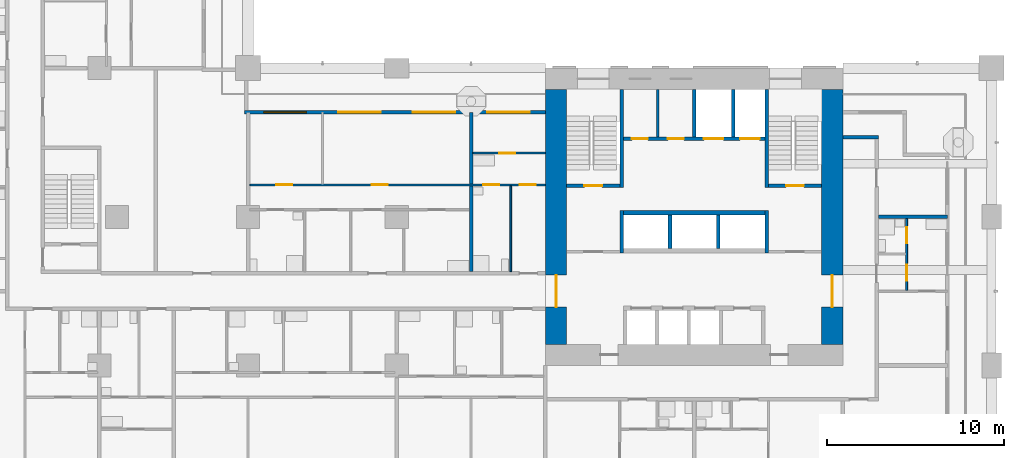
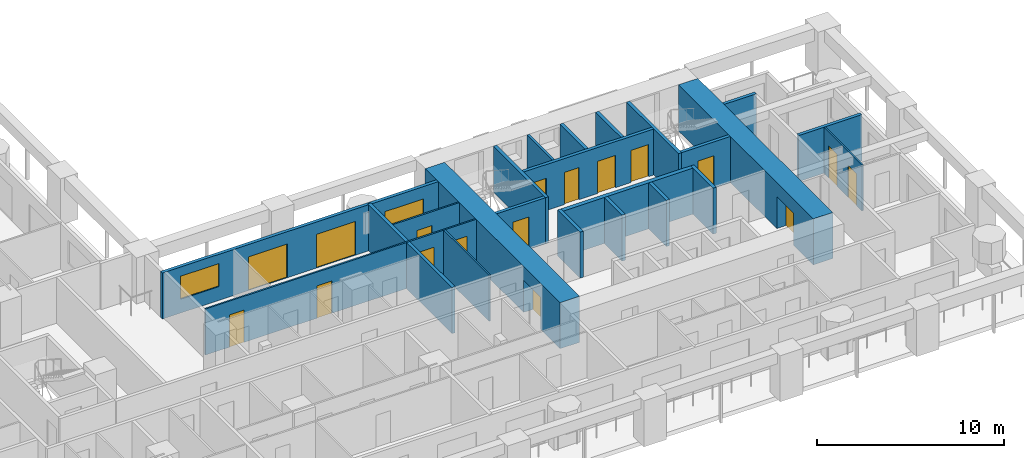
# One storey, part 7 of 21: 23 walls, 18 doors, 1 window, 19 openings.
"""IFC4 building model written with IfcOpenShell, lengths in metres."""

from ifc_helpers import new_model, si_unit, direction, frame, frame_2d, origin, place, context, subcontext, project, spatial, rectangle, extrude, material, layer, layer_set, type_object, element, fill, save


model = new_model("IFC4")

# Units and contexts
model_context = context("Model", 3, precision=1e-05, world=origin(), true_north=direction((0.0, 1.0)))
body_context = subcontext(model_context, "Body", "Model", "MODEL_VIEW")
ifc_project = project(units=[si_unit("LENGTHUNIT", "METRE"), si_unit("AREAUNIT", "SQUARE_METRE"), si_unit("VOLUMEUNIT", "CUBIC_METRE"), si_unit("PLANEANGLEUNIT", "RADIAN"), si_unit("MASSUNIT", "GRAM", prefix="KILO")], contexts=[model_context])

# Site, building, storey
site_placement = place(None, origin())
site = spatial("IfcSite", under=ifc_project, at=site_placement, CompositionType="ELEMENT")
building_placement = place(site_placement, origin())
building = spatial("IfcBuilding", under=site, at=building_placement, Name="Vermilion Gate Residences", CompositionType="ELEMENT")
storey_placement = place(building_placement, frame((0.0, 0.0, 70.699951171875)))
storey = spatial("IfcBuildingStorey", under=building, at=storey_placement, Name="L17", CompositionType="ELEMENT", Elevation=70.699951171875)

# Wall
ifc_material_1 = material(Name="Masonry blockwork", Category="masonry")
ifc_layer_1 = layer(ifc_material_1, 0.14990234375)
ifc_layer_set_1 = layer_set([ifc_layer_1], Name="BLOCKWORK PARTITION 150 EI 120")
wall_type_1 = type_object("IfcWallType", Name="BLOCKWORK PARTITION 150 EI 120", PredefinedType="PARTITIONING", material=ifc_layer_set_1)
wall_1_placement = place(storey_placement, frame((48.35009765625, 21.300048828125, 0.0), z_axis=(0.0, 0.0, 1.0), x_axis=(0.0, 1.0, 0.0)))
element("IfcWall", 1, at=wall_1_placement, inside=storey, type_object=wall_type_1, Name="Core room partition A17-NR-P0", PredefinedType="PARTITIONING", context=body_context, shape_type="SweptSolid", body=[
    extrude(rectangle(XDim=2.699951171875, YDim=0.14990234375, at=frame_2d((1.35009765625, 0.0))), origin(), (0.0, 0.0, 1.0), 3.0),
])

# Wall, openings, doors, window
ifc_material_2 = material(Name="Insulated steel stud wall with terracotta rainscreen", Category="masonry")
ifc_layer_2 = layer(ifc_material_2, 0.199951171875)
ifc_layer_set_2 = layer_set([ifc_layer_2], Name="EXTERNAL WALL 200 TERRACOTTA RAINSCREEN")
wall_type_2 = type_object("IfcWallType", Name="EXTERNAL WALL 200 TERRACOTTA RAINSCREEN", PredefinedType="SOLIDWALL", material=ifc_layer_set_2)
wall_2_placement = place(storey_placement, frame((42.0, 22.699951171875, 0.0), z_axis=(0.0, 0.0, 1.0), x_axis=(-1.0, 0.0, 0.0)))
wall_2 = element("IfcWall", 2, at=wall_2_placement, inside=storey, type_object=wall_type_2, Name="External wall", PredefinedType="SOLIDWALL", context=body_context, shape_type="SweptSolid", body=[
    extrude(rectangle(XDim=17.0, YDim=0.199951171875, at=frame_2d((8.5, 0.0))), origin(), (0.0, 0.0, 1.0), 3.0),
])
opening_1_placement = place(wall_2_placement, frame((13.5, 0.0, 0.89990234375)))
opening_1 = element("IfcOpeningElement", 3, at=opening_1_placement, cuts=wall_2, Name="Opening WE17033", PredefinedType="OPENING", context=body_context, shape_type="SweptSolid", body=[
    extrude(rectangle(XDim=2.39990234375, YDim=1.5, at=frame_2d((1.199951171875, 0.75))), frame((0.0, 0.10986328125, 0.0), z_axis=(0.0, -1.0, 0.0), x_axis=(1.0, 0.0, 0.0)), (0.0, 0.0, 1.0), 0.219970703125),
])
opening_2_placement = place(wall_2_placement, frame((9.300048828125, 0.0, 0.0)))
opening_2 = element("IfcOpeningElement", 4, at=opening_2_placement, cuts=wall_2, Name="Opening DE17034", PredefinedType="OPENING", context=body_context, shape_type="SweptSolid", body=[
    extrude(rectangle(XDim=2.39990234375, YDim=2.199951171875, at=frame_2d((1.199951171875, 1.10009765625))), frame((0.0, 0.10986328125, 0.0), z_axis=(0.0, -1.0, 0.0), x_axis=(1.0, 0.0, 0.0)), (0.0, 0.0, 1.0), 0.219970703125),
])
opening_3_placement = place(wall_2_placement, frame((5.10009765625, 0.0, 0.0)))
opening_3 = element("IfcOpeningElement", 5, at=opening_3_placement, cuts=wall_2, Name="Opening DE17035", PredefinedType="OPENING", context=body_context, shape_type="SweptSolid", body=[
    extrude(rectangle(XDim=2.39990234375, YDim=2.199951171875, at=frame_2d((1.199951171875, 1.10009765625))), frame((0.0, 0.10986328125, 0.0), z_axis=(0.0, -1.0, 0.0), x_axis=(1.0, 0.0, 0.0)), (0.0, 0.0, 1.0), 0.219970703125),
])
opening_4_placement = place(wall_2_placement, frame((0.89990234375, 0.0, 0.0)))
opening_4 = element("IfcOpeningElement", 6, at=opening_4_placement, cuts=wall_2, Name="Opening DE17036", PredefinedType="OPENING", context=body_context, shape_type="SweptSolid", body=[
    extrude(rectangle(XDim=2.39990234375, YDim=2.199951171875, at=frame_2d((1.199951171875, 1.10009765625))), frame((0.0, 0.10986328125, 0.0), z_axis=(0.0, -1.0, 0.0), x_axis=(1.0, 0.0, 0.0)), (0.0, 0.0, 1.0), 0.219970703125),
])
ifc_material_3 = material(Name="Aluminium and clear glass", Category="aluminium")
door_type_1 = type_object("IfcDoorType", Name="SLIDING GLAZED DOOR 2400 X 2200", OperationType="DOUBLE_DOOR_SLIDING", PredefinedType="DOOR", material=ifc_material_3)
door_1_placement = place(opening_2_placement, origin())
door_1 = element("IfcDoor", 7, at=door_1_placement, inside=storey, type_object=door_type_1, Name="Loggia sliding door", OperationType="DOUBLE_DOOR_SLIDING", OverallHeight=2.199951171875, OverallWidth=2.39990234375, PredefinedType="DOOR", context=body_context, shape_type="SweptSolid", body=[
    extrude(rectangle(XDim=2.39990234375, YDim=2.199951171875, at=frame_2d((1.199951171875, 1.10009765625))), frame((0.0, 0.02490234375, 0.0), z_axis=(0.0, -1.0, 0.0), x_axis=(1.0, 0.0, 0.0)), (0.0, 0.0, 1.0), 0.050048828125),
])
fill(opening_2, door_1)
door_2_placement = place(opening_3_placement, origin())
door_2 = element("IfcDoor", 8, at=door_2_placement, inside=storey, type_object=door_type_1, Name="Loggia sliding door", OperationType="DOUBLE_DOOR_SLIDING", OverallHeight=2.199951171875, OverallWidth=2.39990234375, PredefinedType="DOOR", context=body_context, shape_type="SweptSolid", body=[
    extrude(rectangle(XDim=2.39990234375, YDim=2.199951171875, at=frame_2d((1.199951171875, 1.10009765625))), frame((0.0, 0.02490234375, 0.0), z_axis=(0.0, -1.0, 0.0), x_axis=(1.0, 0.0, 0.0)), (0.0, 0.0, 1.0), 0.050048828125),
])
fill(opening_3, door_2)
door_3_placement = place(opening_4_placement, origin())
door_3 = element("IfcDoor", 9, at=door_3_placement, inside=storey, type_object=door_type_1, Name="Loggia sliding door", OperationType="DOUBLE_DOOR_SLIDING", OverallHeight=2.199951171875, OverallWidth=2.39990234375, PredefinedType="DOOR", context=body_context, shape_type="SweptSolid", body=[
    extrude(rectangle(XDim=2.39990234375, YDim=2.199951171875, at=frame_2d((1.199951171875, 1.10009765625))), frame((0.0, 0.02490234375, 0.0), z_axis=(0.0, -1.0, 0.0), x_axis=(1.0, 0.0, 0.0)), (0.0, 0.0, 1.0), 0.050048828125),
])
fill(opening_4, door_3)
ifc_material_4 = material(Name="Aluminium and clear glass", Category="aluminium")
window_type = type_object("IfcWindowType", Name="WINDOW 2400 X 1500", PartitioningType="SINGLE_PANEL", PredefinedType="WINDOW", material=ifc_material_4)
window_placement = place(opening_1_placement, origin())
window = element("IfcWindow", 10, at=window_placement, inside=storey, type_object=window_type, Name="Window", OverallHeight=1.5, OverallWidth=2.39990234375, PartitioningType="SINGLE_PANEL", PredefinedType="WINDOW", context=body_context, shape_type="SweptSolid", body=[
    extrude(rectangle(XDim=2.39990234375, YDim=1.5, at=frame_2d((1.199951171875, 0.75))), frame((0.0, 0.030029296875, 0.0), z_axis=(0.0, -1.0, 0.0), x_axis=(1.0, 0.0, 0.0)), (0.0, 0.0, 1.0), 0.06005859375),
])
fill(opening_1, window)

# Wall, openings, doors
ifc_material_5 = material(Name="Plasterboard on steel studs", Category="steel")
ifc_layer_3 = layer(ifc_material_5, 0.10009765625)
ifc_layer_set_3 = layer_set([ifc_layer_3], Name="PARTITION 100")
wall_type_3 = type_object("IfcWallType", Name="PARTITION 100", PredefinedType="PARTITIONING", material=ifc_layer_set_3)
wall_3_placement = place(storey_placement, frame((25.300048828125, 18.60009765625, 0.0), z_axis=(0.0, 0.0, 1.0), x_axis=(1.0, 0.0, 0.0)))
wall_3 = element("IfcWall", 11, at=wall_3_placement, inside=storey, type_object=wall_type_3, Name="Partition", PredefinedType="PARTITIONING", context=body_context, shape_type="SweptSolid", body=[
    extrude(rectangle(XDim=16.699951171875, YDim=0.10009765625, at=frame_2d((8.35009765625, 0.0))), origin(), (0.0, 0.0, 1.0), 3.0),
])
opening_5_placement = place(wall_3_placement, frame((1.5, 0.0, 0.0)))
opening_5 = element("IfcOpeningElement", 12, at=opening_5_placement, cuts=wall_3, Name="Opening DA16037", PredefinedType="OPENING", context=body_context, shape_type="SweptSolid", body=[
    extrude(rectangle(XDim=0.89990234375, YDim=2.10009765625, at=frame_2d((0.449951171875, 1.050048828125))), frame((0.0, 0.06005859375, 0.0), z_axis=(0.0, -1.0, 0.0), x_axis=(1.0, 0.0, 0.0)), (0.0, 0.0, 1.0), 0.1201171875),
])
opening_6_placement = place(wall_3_placement, frame((6.89990234375, 0.0, 0.0)))
opening_6 = element("IfcOpeningElement", 13, at=opening_6_placement, cuts=wall_3, Name="Opening DA16038", PredefinedType="OPENING", context=body_context, shape_type="SweptSolid", body=[
    extrude(rectangle(XDim=0.89990234375, YDim=2.10009765625, at=frame_2d((0.449951171875, 1.050048828125))), frame((0.0, 0.06005859375, 0.0), z_axis=(0.0, -1.0, 0.0), x_axis=(1.0, 0.0, 0.0)), (0.0, 0.0, 1.0), 0.1201171875),
])
opening_7_placement = place(wall_3_placement, frame((15.239990234375, 0.0, 0.0)))
opening_7 = element("IfcOpeningElement", 14, at=opening_7_placement, cuts=wall_3, Name="Opening DA16039", PredefinedType="OPENING", context=body_context, shape_type="SweptSolid", body=[
    extrude(rectangle(XDim=0.89990234375, YDim=2.10009765625, at=frame_2d((0.449951171875, 1.050048828125))), frame((0.0, 0.06005859375, 0.0), z_axis=(0.0, -1.0, 0.0), x_axis=(1.0, 0.0, 0.0)), (0.0, 0.0, 1.0), 0.1201171875),
])
opening_8_placement = place(wall_3_placement, frame((13.199951171875, 0.0, 0.0)))
opening_8 = element("IfcOpeningElement", 15, at=opening_8_placement, cuts=wall_3, Name="Opening DA16040", PredefinedType="OPENING", context=body_context, shape_type="SweptSolid", body=[
    extrude(rectangle(XDim=0.89990234375, YDim=2.10009765625, at=frame_2d((0.449951171875, 1.050048828125))), frame((0.0, 0.06005859375, 0.0), z_axis=(0.0, -1.0, 0.0), x_axis=(1.0, 0.0, 0.0)), (0.0, 0.0, 1.0), 0.1201171875),
])
ifc_material_6 = material(Name="Timber", Category="wood")
door_type_2 = type_object("IfcDoorType", Name="INTERIOR DOOR 900 X 2100", OperationType="SINGLE_SWING_LEFT", PredefinedType="DOOR", material=ifc_material_6)
door_4_placement = place(opening_5_placement, origin())
door_4 = element("IfcDoor", 16, at=door_4_placement, inside=storey, type_object=door_type_2, Name="Interior door", OperationType="SINGLE_SWING_LEFT", OverallHeight=2.10009765625, OverallWidth=0.89990234375, PredefinedType="DOOR", context=body_context, shape_type="SweptSolid", body=[
    extrude(rectangle(XDim=0.89990234375, YDim=2.10009765625, at=frame_2d((0.449951171875, 1.050048828125))), frame((0.0, 0.02490234375, 0.0), z_axis=(0.0, -1.0, 0.0), x_axis=(1.0, 0.0, 0.0)), (0.0, 0.0, 1.0), 0.050048828125),
])
fill(opening_5, door_4)
door_5_placement = place(opening_6_placement, origin())
door_5 = element("IfcDoor", 17, at=door_5_placement, inside=storey, type_object=door_type_2, Name="Interior door", OperationType="SINGLE_SWING_LEFT", OverallHeight=2.10009765625, OverallWidth=0.89990234375, PredefinedType="DOOR", context=body_context, shape_type="SweptSolid", body=[
    extrude(rectangle(XDim=0.89990234375, YDim=2.10009765625, at=frame_2d((0.449951171875, 1.050048828125))), frame((0.0, 0.02490234375, 0.0), z_axis=(0.0, -1.0, 0.0), x_axis=(1.0, 0.0, 0.0)), (0.0, 0.0, 1.0), 0.050048828125),
])
fill(opening_6, door_5)
door_6_placement = place(opening_7_placement, origin())
door_6 = element("IfcDoor", 18, at=door_6_placement, inside=storey, type_object=door_type_2, Name="Interior door", OperationType="SINGLE_SWING_RIGHT", OverallHeight=2.10009765625, OverallWidth=0.89990234375, PredefinedType="DOOR", context=body_context, shape_type="SweptSolid", body=[
    extrude(rectangle(XDim=0.89990234375, YDim=2.10009765625, at=frame_2d((0.449951171875, 1.050048828125))), frame((0.0, 0.02490234375, 0.0), z_axis=(0.0, -1.0, 0.0), x_axis=(1.0, 0.0, 0.0)), (0.0, 0.0, 1.0), 0.050048828125),
])
fill(opening_7, door_6)
door_7_placement = place(opening_8_placement, origin())
door_7 = element("IfcDoor", 19, at=door_7_placement, inside=storey, type_object=door_type_2, Name="Interior door", OperationType="SINGLE_SWING_LEFT", OverallHeight=2.10009765625, OverallWidth=0.89990234375, PredefinedType="DOOR", context=body_context, shape_type="SweptSolid", body=[
    extrude(rectangle(XDim=0.89990234375, YDim=2.10009765625, at=frame_2d((0.449951171875, 1.050048828125))), frame((0.0, 0.02490234375, 0.0), z_axis=(0.0, -1.0, 0.0), x_axis=(1.0, 0.0, 0.0)), (0.0, 0.0, 1.0), 0.050048828125),
])
fill(opening_8, door_7)

# Wall, opening, door
wall_4_placement = place(storey_placement, frame((37.89990234375, 20.39990234375, 0.0), z_axis=(0.0, 0.0, 1.0), x_axis=(1.0, 0.0, 0.0)))
wall_4 = element("IfcWall", 20, at=wall_4_placement, inside=storey, type_object=wall_type_3, Name="Partition", PredefinedType="PARTITIONING", context=body_context, shape_type="SweptSolid", body=[
    extrude(rectangle(XDim=4.10009765625, YDim=0.10009765625, at=frame_2d((2.050048828125, 0.0))), origin(), (0.0, 0.0, 1.0), 3.0),
])
opening_9_placement = place(wall_4_placement, frame((1.5, 0.0, 0.0)))
opening_9 = element("IfcOpeningElement", 21, at=opening_9_placement, cuts=wall_4, Name="Opening DA16041", PredefinedType="OPENING", context=body_context, shape_type="SweptSolid", body=[
    extrude(rectangle(XDim=0.89990234375, YDim=2.10009765625, at=frame_2d((0.449951171875, 1.050048828125))), frame((0.0, 0.06005859375, 0.0), z_axis=(0.0, -1.0, 0.0), x_axis=(1.0, 0.0, 0.0)), (0.0, 0.0, 1.0), 0.1201171875),
])
door_8_placement = place(opening_9_placement, frame((0.89990234375, 0.0, 0.0), z_axis=(0.0, 0.0, 1.0), x_axis=(-1.0, 0.0, 0.0)))
door_8 = element("IfcDoor", 22, at=door_8_placement, inside=storey, type_object=door_type_2, Name="Interior door", OperationType="SINGLE_SWING_RIGHT", OverallHeight=2.10009765625, OverallWidth=0.89990234375, PredefinedType="DOOR", context=body_context, shape_type="SweptSolid", body=[
    extrude(rectangle(XDim=0.89990234375, YDim=2.10009765625, at=frame_2d((0.449951171875, 1.050048828125))), frame((0.0, 0.02490234375, 0.0), z_axis=(0.0, -1.0, 0.0), x_axis=(1.0, 0.0, 0.0)), (0.0, 0.0, 1.0), 0.050048828125),
])
fill(opening_9, door_8)

# Wall
wall_5_placement = place(storey_placement, frame((40.0400390625, 13.699951171875, 0.0), z_axis=(0.0, 0.0, 1.0), x_axis=(0.0, 1.0, 0.0)))
element("IfcWall", 23, at=wall_5_placement, inside=storey, type_object=wall_type_3, Name="Partition", PredefinedType="PARTITIONING", context=body_context, shape_type="SweptSolid", body=[
    extrude(rectangle(XDim=4.85009765625, YDim=0.10009765625, at=frame_2d((2.425048828125, 0.0))), origin(), (0.0, 0.0, 1.0), 3.0),
])

# Wall, openings, doors
wall_6_placement = place(storey_placement, frame((62.39990234375, 12.64990234375, 0.0), z_axis=(0.0, 0.0, 1.0), x_axis=(0.0, 1.0, 0.0)))
wall_6 = element("IfcWall", 24, at=wall_6_placement, inside=storey, type_object=wall_type_3, Name="Partition", PredefinedType="PARTITIONING", context=body_context, shape_type="SweptSolid", body=[
    extrude(rectangle(XDim=4.050048828125, YDim=0.10009765625, at=frame_2d((2.02490234375, 0.0))), origin(), (0.0, 0.0, 1.0), 3.0),
])
opening_10_placement = place(wall_6_placement, frame((0.550048828125, 0.0, 0.0)))
opening_10 = element("IfcOpeningElement", 25, at=opening_10_placement, cuts=wall_6, Name="Opening DA16085", PredefinedType="OPENING", context=body_context, shape_type="SweptSolid", body=[
    extrude(rectangle(XDim=0.89990234375, YDim=2.10009765625, at=frame_2d((0.449951171875, 1.050048828125))), frame((0.0, 0.06005859375, 0.0), z_axis=(0.0, -1.0, 0.0), x_axis=(1.0, 0.0, 0.0)), (0.0, 0.0, 1.0), 0.1201171875),
])
opening_11_placement = place(wall_6_placement, frame((2.64990234375, 0.0, 0.0)))
opening_11 = element("IfcOpeningElement", 26, at=opening_11_placement, cuts=wall_6, Name="Opening DA16086", PredefinedType="OPENING", context=body_context, shape_type="SweptSolid", body=[
    extrude(rectangle(XDim=0.89990234375, YDim=2.10009765625, at=frame_2d((0.449951171875, 1.050048828125))), frame((0.0, 0.06005859375, 0.0), z_axis=(0.0, -1.0, 0.0), x_axis=(1.0, 0.0, 0.0)), (0.0, 0.0, 1.0), 0.1201171875),
])
door_9_placement = place(opening_10_placement, frame((0.89990234375, 0.0, 0.0), z_axis=(0.0, 0.0, 1.0), x_axis=(-1.0, 0.0, 0.0)))
door_9 = element("IfcDoor", 27, at=door_9_placement, inside=storey, type_object=door_type_2, Name="Interior door", OperationType="SINGLE_SWING_RIGHT", OverallHeight=2.10009765625, OverallWidth=0.89990234375, PredefinedType="DOOR", context=body_context, shape_type="SweptSolid", body=[
    extrude(rectangle(XDim=0.89990234375, YDim=2.10009765625, at=frame_2d((0.449951171875, 1.050048828125))), frame((0.0, 0.02490234375, 0.0), z_axis=(0.0, -1.0, 0.0), x_axis=(1.0, 0.0, 0.0)), (0.0, 0.0, 1.0), 0.050048828125),
])
fill(opening_10, door_9)
door_10_placement = place(opening_11_placement, origin())
door_10 = element("IfcDoor", 28, at=door_10_placement, inside=storey, type_object=door_type_2, Name="Interior door", OperationType="SINGLE_SWING_RIGHT", OverallHeight=2.10009765625, OverallWidth=0.89990234375, PredefinedType="DOOR", context=body_context, shape_type="SweptSolid", body=[
    extrude(rectangle(XDim=0.89990234375, YDim=2.10009765625, at=frame_2d((0.449951171875, 1.050048828125))), frame((0.0, 0.02490234375, 0.0), z_axis=(0.0, -1.0, 0.0), x_axis=(1.0, 0.0, 0.0)), (0.0, 0.0, 1.0), 0.050048828125),
])
fill(opening_11, door_10)

# Walls
ifc_material_7 = material(Name="Fire-rated plasterboard on steel studs", Category="steel")
ifc_layer_4 = layer(ifc_material_7, 0.199951171875)
ifc_layer_set_4 = layer_set([ifc_layer_4], Name="PARTY WALL 200 EI 120")
wall_type_4 = type_object("IfcWallType", Name="PARTY WALL 200 EI 120", PredefinedType="PARTITIONING", material=ifc_layer_set_4)
wall_7_placement = place(storey_placement, frame((60.800048828125, 16.800048828125, 0.0), z_axis=(0.0, 0.0, 1.0), x_axis=(1.0, 0.0, 0.0)))
element("IfcWall", 29, at=wall_7_placement, inside=storey, type_object=wall_type_4, Name="Party and corridor wall", PredefinedType="PARTITIONING", context=body_context, shape_type="SweptSolid", body=[
    extrude(rectangle(XDim=3.89990234375, YDim=0.199951171875, at=frame_2d((1.949951171875, 0.0))), origin(), (0.0, 0.0, 1.0), 3.0),
])
wall_8_placement = place(storey_placement, frame((58.800048828125, 21.300048828125, 0.0), z_axis=(0.0, 0.0, 1.0), x_axis=(1.0, 0.0, 0.0)))
element("IfcWall", 30, at=wall_8_placement, inside=storey, type_object=wall_type_4, Name="Party and corridor wall", PredefinedType="PARTITIONING", context=body_context, shape_type="SweptSolid", body=[
    extrude(rectangle(XDim=2.0, YDim=0.199951171875, at=frame_2d((1.0, 0.0))), origin(), (0.0, 0.0, 1.0), 3.0),
])
wall_9_placement = place(storey_placement, frame((37.800048828125, 13.699951171875, 0.0), z_axis=(0.0, 0.0, 1.0), x_axis=(0.0, 1.0, 0.0)))
element("IfcWall", 31, at=wall_9_placement, inside=storey, type_object=wall_type_4, Name="Party and corridor wall", PredefinedType="PARTITIONING", context=body_context, shape_type="SweptSolid", body=[
    extrude(rectangle(XDim=9.0, YDim=0.199951171875, at=frame_2d((4.5, 0.0))), origin(), (0.0, 0.0, 1.0), 3.0),
])
ifc_material_8 = material(Name="Concrete C60", Category="concrete")
ifc_layer_5 = layer(ifc_material_8, 0.199951171875)
ifc_layer_set_5 = layer_set([ifc_layer_5], Name="RC CORE INTERNAL WALL 200 C60")
wall_type_5 = type_object("IfcWallType", Name="RC CORE INTERNAL WALL 200 C60", PredefinedType="SHEAR", material=ifc_layer_set_5)
for number, where, z_axis, x_axis, name in (
    (32, (49.033447265625, 15.0, 0.0), (0.0, 0.0, 1.0), (0.0, 1.0, 0.0), "Core internal wall A17-HR-D1"),
    (33, (51.7666015625, 15.0, 0.0), (0.0, 0.0, 1.0), (0.0, 1.0, 0.0), "Core internal wall A17-HR-D2"),
):
    element("IfcWall", number, at=place(storey_placement, frame(where, z_axis=z_axis, x_axis=x_axis)), inside=storey, type_object=wall_type_5, Name=name, PredefinedType="SHEAR", context=body_context, shape_type="SweptSolid", body=[
        extrude(rectangle(XDim=1.89990234375, YDim=0.199951171875, at=frame_2d((0.949951171875, 0.0))), origin(), (0.0, 0.0, 1.0), 3.0),
    ])
for number, where, z_axis, x_axis, name in (
    (34, (50.39990234375, 21.300048828125, 0.0), (0.0, 0.0, 1.0), (0.0, 1.0, 0.0), "Core internal wall A17-FF-D0"),
    (35, (52.60009765625, 21.300048828125, 0.0), (0.0, 0.0, 1.0), (0.0, 1.0, 0.0), "Core internal wall A17-FF-D1"),
):
    element("IfcWall", number, at=place(storey_placement, frame(where, z_axis=z_axis, x_axis=x_axis)), inside=storey, type_object=wall_type_5, Name=name, PredefinedType="SHEAR", context=body_context, shape_type="SweptSolid", body=[
        extrude(rectangle(XDim=2.699951171875, YDim=0.199951171875, at=frame_2d((1.35009765625, 0.0))), origin(), (0.0, 0.0, 1.0), 3.0),
    ])

# Wall, openings, doors
wall_10_placement = place(storey_placement, frame((46.39990234375, 21.199951171875, 0.0), z_axis=(0.0, 0.0, 1.0), x_axis=(1.0, 0.0, 0.0)))
wall_10 = element("IfcWall", 36, at=wall_10_placement, inside=storey, type_object=wall_type_5, Name="Core internal wall A17-FF-F", PredefinedType="SHEAR", context=body_context, shape_type="SweptSolid", body=[
    extrude(rectangle(XDim=8.0, YDim=0.199951171875, at=frame_2d((4.0, 0.0))), origin(), (0.0, 0.0, 1.0), 3.0),
])
opening_12_placement = place(wall_10_placement, frame((0.487548828125, 0.0, 0.0)))
opening_12 = element("IfcOpeningElement", 37, at=opening_12_placement, cuts=wall_10, Name="Opening DK17009", PredefinedType="OPENING", context=body_context, shape_type="SweptSolid", body=[
    extrude(rectangle(XDim=0.89990234375, YDim=2.10009765625, at=frame_2d((0.449951171875, 1.050048828125))), frame((0.0, 0.10986328125, 0.0), z_axis=(0.0, -1.0, 0.0), x_axis=(1.0, 0.0, 0.0)), (0.0, 0.0, 1.0), 0.219970703125),
])
opening_13_placement = place(wall_10_placement, frame((2.512451171875, 0.0, 0.0)))
opening_13 = element("IfcOpeningElement", 38, at=opening_13_placement, cuts=wall_10, Name="Opening DK17010", PredefinedType="OPENING", context=body_context, shape_type="SweptSolid", body=[
    extrude(rectangle(XDim=0.89990234375, YDim=2.10009765625, at=frame_2d((0.449951171875, 1.050048828125))), frame((0.0, 0.10986328125, 0.0), z_axis=(0.0, -1.0, 0.0), x_axis=(1.0, 0.0, 0.0)), (0.0, 0.0, 1.0), 0.219970703125),
])
opening_14_placement = place(wall_10_placement, frame((4.550048828125, 0.0, 0.0)))
opening_14 = element("IfcOpeningElement", 39, at=opening_14_placement, cuts=wall_10, Name="Opening LD", PredefinedType="OPENING", context=body_context, shape_type="SweptSolid", body=[
    extrude(rectangle(XDim=1.10009765625, YDim=2.10009765625, at=frame_2d((0.550048828125, 1.050048828125))), frame((0.0, 0.10986328125, 0.0), z_axis=(0.0, -1.0, 0.0), x_axis=(1.0, 0.0, 0.0)), (0.0, 0.0, 1.0), 0.219970703125),
])
opening_15_placement = place(wall_10_placement, frame((6.60009765625, 0.0, 0.0)))
opening_15 = element("IfcOpeningElement", 40, at=opening_15_placement, cuts=wall_10, Name="Opening LD", PredefinedType="OPENING", context=body_context, shape_type="SweptSolid", body=[
    extrude(rectangle(XDim=1.10009765625, YDim=2.10009765625, at=frame_2d((0.550048828125, 1.050048828125))), frame((0.0, 0.10986328125, 0.0), z_axis=(0.0, -1.0, 0.0), x_axis=(1.0, 0.0, 0.0)), (0.0, 0.0, 1.0), 0.219970703125),
])
ifc_material_9 = material(Name="Stainless steel", Category="steel")
door_type_3 = type_object("IfcDoorType", Name="LIFT LANDING DOOR E60 1100 X 2100", OperationType="DOUBLE_DOOR_SLIDING", PredefinedType="DOOR", material=ifc_material_9)
door_11_placement = place(opening_14_placement, origin())
door_11 = element("IfcDoor", 41, at=door_11_placement, inside=storey, type_object=door_type_3, Name="Lift landing door LFA1", OperationType="DOUBLE_DOOR_SLIDING", OverallHeight=2.10009765625, OverallWidth=1.10009765625, PredefinedType="DOOR", context=body_context, shape_type="SweptSolid", body=[
    extrude(rectangle(XDim=1.10009765625, YDim=2.10009765625, at=frame_2d((0.550048828125, 1.050048828125))), frame((0.0, 0.02490234375, 0.0), z_axis=(0.0, -1.0, 0.0), x_axis=(1.0, 0.0, 0.0)), (0.0, 0.0, 1.0), 0.050048828125),
])
fill(opening_14, door_11)
door_12_placement = place(opening_15_placement, origin())
door_12 = element("IfcDoor", 42, at=door_12_placement, inside=storey, type_object=door_type_3, Name="Lift landing door LCA1", OperationType="DOUBLE_DOOR_SLIDING", OverallHeight=2.10009765625, OverallWidth=1.10009765625, PredefinedType="DOOR", context=body_context, shape_type="SweptSolid", body=[
    extrude(rectangle(XDim=1.10009765625, YDim=2.10009765625, at=frame_2d((0.550048828125, 1.050048828125))), frame((0.0, 0.02490234375, 0.0), z_axis=(0.0, -1.0, 0.0), x_axis=(1.0, 0.0, 0.0)), (0.0, 0.0, 1.0), 0.050048828125),
])
fill(opening_15, door_12)
ifc_material_10 = material(Name="Steel", Category="steel")
door_type_4 = type_object("IfcDoorType", Name="SERVICE ROOM DOOR FD60 900 X 2100", OperationType="SINGLE_SWING_LEFT", PredefinedType="DOOR", material=ifc_material_10)
door_13_placement = place(opening_12_placement, origin())
door_13 = element("IfcDoor", 43, at=door_13_placement, inside=storey, type_object=door_type_4, Name="Electrical riser A17", OperationType="SINGLE_SWING_LEFT", OverallHeight=2.10009765625, OverallWidth=0.89990234375, PredefinedType="DOOR", context=body_context, shape_type="SweptSolid", body=[
    extrude(rectangle(XDim=0.89990234375, YDim=2.10009765625, at=frame_2d((0.449951171875, 1.050048828125))), frame((0.0, 0.02490234375, 0.0), z_axis=(0.0, -1.0, 0.0), x_axis=(1.0, 0.0, 0.0)), (0.0, 0.0, 1.0), 0.050048828125),
])
fill(opening_12, door_13)
door_14_placement = place(opening_13_placement, origin())
door_14 = element("IfcDoor", 44, at=door_14_placement, inside=storey, type_object=door_type_4, Name="Cleaner's store A17", OperationType="SINGLE_SWING_LEFT", OverallHeight=2.10009765625, OverallWidth=0.89990234375, PredefinedType="DOOR", context=body_context, shape_type="SweptSolid", body=[
    extrude(rectangle(XDim=0.89990234375, YDim=2.10009765625, at=frame_2d((0.449951171875, 1.050048828125))), frame((0.0, 0.02490234375, 0.0), z_axis=(0.0, -1.0, 0.0), x_axis=(1.0, 0.0, 0.0)), (0.0, 0.0, 1.0), 0.050048828125),
])
fill(opening_13, door_14)

# Walls
wall_11_placement = place(storey_placement, frame((46.300048828125, 14.75, 0.0), z_axis=(0.0, 0.0, 1.0), x_axis=(0.0, 1.0, 0.0)))
element("IfcWall", 45, at=wall_11_placement, inside=storey, type_object=wall_type_5, Name="Core internal wall A17-WDIV1", PredefinedType="SHEAR", context=body_context, shape_type="SweptSolid", body=[
    extrude(rectangle(XDim=2.39990234375, YDim=0.199951171875, at=frame_2d((1.199951171875, 0.0))), origin(), (0.0, 0.0, 1.0), 3.0),
])
wall_12_placement = place(storey_placement, frame((46.300048828125, 18.449951171875, 0.0), z_axis=(0.0, 0.0, 1.0), x_axis=(0.0, 1.0, 0.0)))
element("IfcWall", 46, at=wall_12_placement, inside=storey, type_object=wall_type_5, Name="Core internal wall A17-WDIV2", PredefinedType="SHEAR", context=body_context, shape_type="SweptSolid", body=[
    extrude(rectangle(XDim=5.550048828125, YDim=0.199951171875, at=frame_2d((2.77490234375, 0.0))), origin(), (0.0, 0.0, 1.0), 3.0),
])

# Wall, opening, door
wall_13_placement = place(storey_placement, frame((43.199951171875, 18.550048828125, 0.0), z_axis=(0.0, 0.0, 1.0), x_axis=(1.0, 0.0, 0.0)))
wall_13 = element("IfcWall", 47, at=wall_13_placement, inside=storey, type_object=wall_type_5, Name="Core internal wall A17-STW-S", PredefinedType="SHEAR", context=body_context, shape_type="SweptSolid", body=[
    extrude(rectangle(XDim=3.0, YDim=0.199951171875, at=frame_2d((1.5, 0.0))), origin(), (0.0, 0.0, 1.0), 3.0),
])
opening_16_placement = place(wall_13_placement, frame((1.0, 0.0, 0.0)))
opening_16 = element("IfcOpeningElement", 48, at=opening_16_placement, cuts=wall_13, Name="Opening DK17014", PredefinedType="OPENING", context=body_context, shape_type="SweptSolid", body=[
    extrude(rectangle(XDim=1.0, YDim=2.10009765625, at=frame_2d((0.5, 1.050048828125))), frame((0.0, 0.10986328125, 0.0), z_axis=(0.0, -1.0, 0.0), x_axis=(1.0, 0.0, 0.0)), (0.0, 0.0, 1.0), 0.219970703125),
])
ifc_material_11 = material(Name="Steel", Category="steel")
door_type_5 = type_object("IfcDoorType", Name="FIRE DOOR FD60 1000 X 2100", OperationType="SINGLE_SWING_LEFT", PredefinedType="DOOR", material=ifc_material_11)
door_15_placement = place(opening_16_placement, origin())
door_15 = element("IfcDoor", 49, at=door_15_placement, inside=storey, type_object=door_type_5, Name="Stair door A17", OperationType="SINGLE_SWING_LEFT", OverallHeight=2.10009765625, OverallWidth=1.0, PredefinedType="DOOR", context=body_context, shape_type="SweptSolid", body=[
    extrude(rectangle(XDim=1.0, YDim=2.10009765625, at=frame_2d((0.5, 1.050048828125))), frame((0.0, 0.02490234375, 0.0), z_axis=(0.0, -1.0, 0.0), x_axis=(1.0, 0.0, 0.0)), (0.0, 0.0, 1.0), 0.050048828125),
])
fill(opening_16, door_15)

# Walls
wall_14_placement = place(storey_placement, frame((54.5, 14.75, 0.0), z_axis=(0.0, 0.0, 1.0), x_axis=(0.0, 1.0, 0.0)))
element("IfcWall", 50, at=wall_14_placement, inside=storey, type_object=wall_type_5, Name="Core internal wall A17-EDIV1", PredefinedType="SHEAR", context=body_context, shape_type="SweptSolid", body=[
    extrude(rectangle(XDim=2.39990234375, YDim=0.199951171875, at=frame_2d((1.199951171875, 0.0))), origin(), (0.0, 0.0, 1.0), 3.0),
])
wall_15_placement = place(storey_placement, frame((54.5, 18.449951171875, 0.0), z_axis=(0.0, 0.0, 1.0), x_axis=(0.0, 1.0, 0.0)))
element("IfcWall", 51, at=wall_15_placement, inside=storey, type_object=wall_type_5, Name="Core internal wall A17-EDIV2", PredefinedType="SHEAR", context=body_context, shape_type="SweptSolid", body=[
    extrude(rectangle(XDim=5.550048828125, YDim=0.199951171875, at=frame_2d((2.77490234375, 0.0))), origin(), (0.0, 0.0, 1.0), 3.0),
])

# Wall, opening, door
wall_16_placement = place(storey_placement, frame((54.60009765625, 18.550048828125, 0.0), z_axis=(0.0, 0.0, 1.0), x_axis=(1.0, 0.0, 0.0)))
wall_16 = element("IfcWall", 52, at=wall_16_placement, inside=storey, type_object=wall_type_5, Name="Core internal wall A17-STE-S", PredefinedType="SHEAR", context=body_context, shape_type="SweptSolid", body=[
    extrude(rectangle(XDim=3.0, YDim=0.199951171875, at=frame_2d((1.5, 0.0))), origin(), (0.0, 0.0, 1.0), 3.0),
])
opening_17_placement = place(wall_16_placement, frame((1.0, 0.0, 0.0)))
opening_17 = element("IfcOpeningElement", 53, at=opening_17_placement, cuts=wall_16, Name="Opening DK17016", PredefinedType="OPENING", context=body_context, shape_type="SweptSolid", body=[
    extrude(rectangle(XDim=1.0, YDim=2.10009765625, at=frame_2d((0.5, 1.050048828125))), frame((0.0, 0.10986328125, 0.0), z_axis=(0.0, -1.0, 0.0), x_axis=(1.0, 0.0, 0.0)), (0.0, 0.0, 1.0), 0.219970703125),
])
door_16_placement = place(opening_17_placement, origin())
door_16 = element("IfcDoor", 54, at=door_16_placement, inside=storey, type_object=door_type_5, Name="Stair door A17", OperationType="SINGLE_SWING_LEFT", OverallHeight=2.10009765625, OverallWidth=1.0, PredefinedType="DOOR", context=body_context, shape_type="SweptSolid", body=[
    extrude(rectangle(XDim=1.0, YDim=2.10009765625, at=frame_2d((0.5, 1.050048828125))), frame((0.0, 0.02490234375, 0.0), z_axis=(0.0, -1.0, 0.0), x_axis=(1.0, 0.0, 0.0)), (0.0, 0.0, 1.0), 0.050048828125),
])
fill(opening_17, door_16)

ifc_material_12 = material(Name="Concrete C80", Category="concrete")
ifc_layer_6 = layer(ifc_material_12, 1.199951171875)
ifc_layer_set_6 = layer_set([ifc_layer_6], Name="RC CORE WALL 1200 C80")
wall_type_6 = type_object("IfcWallType", Name="RC CORE WALL 1200 C80", PredefinedType="SHEAR", material=ifc_layer_set_6)
wall_17_placement = place(storey_placement, frame((42.60009765625, 9.60009765625, 0.0), z_axis=(0.0, 0.0, 1.0), x_axis=(0.0, 1.0, 0.0)))
wall_17 = element("IfcWall", 55, at=wall_17_placement, inside=storey, type_object=wall_type_6, Name="Core wall A17-OUT-FR", PredefinedType="SHEAR", context=body_context, shape_type="SweptSolid", body=[
    extrude(rectangle(XDim=14.39990234375, YDim=1.199951171875, at=frame_2d((7.199951171875, 0.0))), origin(), (0.0, 0.0, 1.0), 3.0),
])
opening_18_placement = place(wall_17_placement, frame((2.10009765625, 0.0, 0.0)))
opening_18 = element("IfcOpeningElement", 56, at=opening_18_placement, cuts=wall_17, Name="Opening DK17003", PredefinedType="OPENING", context=body_context, shape_type="SweptSolid", body=[
    extrude(rectangle(XDim=1.800048828125, YDim=2.10009765625, at=frame_2d((0.89990234375, 1.050048828125))), frame((0.0, 0.60986328125, 0.0), z_axis=(0.0, -1.0, 0.0), x_axis=(1.0, 0.0, 0.0)), (0.0, 0.0, 1.0), 1.219970703125),
])
ifc_material_13 = material(Name="Steel", Category="steel")
door_type_6 = type_object("IfcDoorType", Name="CORE LOBBY DOOR FD60 1800 X 2100", OperationType="DOUBLE_DOOR_SINGLE_SWING", PredefinedType="DOOR", material=ifc_material_13)
door_17_placement = place(opening_18_placement, frame((1.800048828125, 0.0, 0.0), z_axis=(0.0, 0.0, 1.0), x_axis=(-1.0, 0.0, 0.0)))
door_17 = element("IfcDoor", 57, at=door_17_placement, inside=storey, type_object=door_type_6, Name="Core lobby door A17", OperationType="DOUBLE_DOOR_SINGLE_SWING", OverallHeight=2.10009765625, OverallWidth=1.800048828125, PredefinedType="DOOR", context=body_context, shape_type="SweptSolid", body=[
    extrude(rectangle(XDim=1.800048828125, YDim=2.10009765625, at=frame_2d((0.89990234375, 1.050048828125))), frame((0.0, 0.02490234375, 0.0), z_axis=(0.0, -1.0, 0.0), x_axis=(1.0, 0.0, 0.0)), (0.0, 0.0, 1.0), 0.050048828125),
])
fill(opening_18, door_17)

wall_18_placement = place(storey_placement, frame((58.199951171875, 9.60009765625, 0.0), z_axis=(0.0, 0.0, 1.0), x_axis=(0.0, 1.0, 0.0)))
wall_18 = element("IfcWall", 58, at=wall_18_placement, inside=storey, type_object=wall_type_6, Name="Core wall A17-OUT-BK", PredefinedType="SHEAR", context=body_context, shape_type="SweptSolid", body=[
    extrude(rectangle(XDim=14.39990234375, YDim=1.199951171875, at=frame_2d((7.199951171875, 0.0))), origin(), (0.0, 0.0, 1.0), 3.0),
])
opening_19_placement = place(wall_18_placement, frame((2.10009765625, 0.0, 0.0)))
opening_19 = element("IfcOpeningElement", 59, at=opening_19_placement, cuts=wall_18, Name="Opening DK17004", PredefinedType="OPENING", context=body_context, shape_type="SweptSolid", body=[
    extrude(rectangle(XDim=1.800048828125, YDim=2.10009765625, at=frame_2d((0.89990234375, 1.050048828125))), frame((0.0, 0.60986328125, 0.0), z_axis=(0.0, -1.0, 0.0), x_axis=(1.0, 0.0, 0.0)), (0.0, 0.0, 1.0), 1.219970703125),
])
door_18_placement = place(opening_19_placement, origin())
door_18 = element("IfcDoor", 60, at=door_18_placement, inside=storey, type_object=door_type_6, Name="Core lobby door A17", OperationType="DOUBLE_DOOR_SINGLE_SWING", OverallHeight=2.10009765625, OverallWidth=1.800048828125, PredefinedType="DOOR", context=body_context, shape_type="SweptSolid", body=[
    extrude(rectangle(XDim=1.800048828125, YDim=2.10009765625, at=frame_2d((0.89990234375, 1.050048828125))), frame((0.0, 0.02490234375, 0.0), z_axis=(0.0, -1.0, 0.0), x_axis=(1.0, 0.0, 0.0)), (0.0, 0.0, 1.0), 0.050048828125),
])
fill(opening_19, door_18)

# Wall
ifc_material_14 = material(Name="Concrete C60", Category="concrete")
ifc_layer_7 = layer(ifc_material_14, 0.25)
ifc_layer_set_7 = layer_set([ifc_layer_7], Name="RC LIFT SHAFT WALL 250 C60")
wall_type_7 = type_object("IfcWallType", Name="RC LIFT SHAFT WALL 250 C60", PredefinedType="SHEAR", material=ifc_layer_set_7)
wall_19_placement = place(storey_placement, frame((46.39990234375, 17.02490234375, 0.0), z_axis=(0.0, 0.0, 1.0), x_axis=(1.0, 0.0, 0.0)))
element("IfcWall", 61, at=wall_19_placement, inside=storey, type_object=wall_type_7, Name="Lift shaft wall A17-HR-B", PredefinedType="SHEAR", context=body_context, shape_type="SweptSolid", body=[
    extrude(rectangle(XDim=8.0, YDim=0.25, at=frame_2d((4.0, 0.0))), origin(), (0.0, 0.0, 1.0), 3.0),
])

save(model, "model.ifc")
